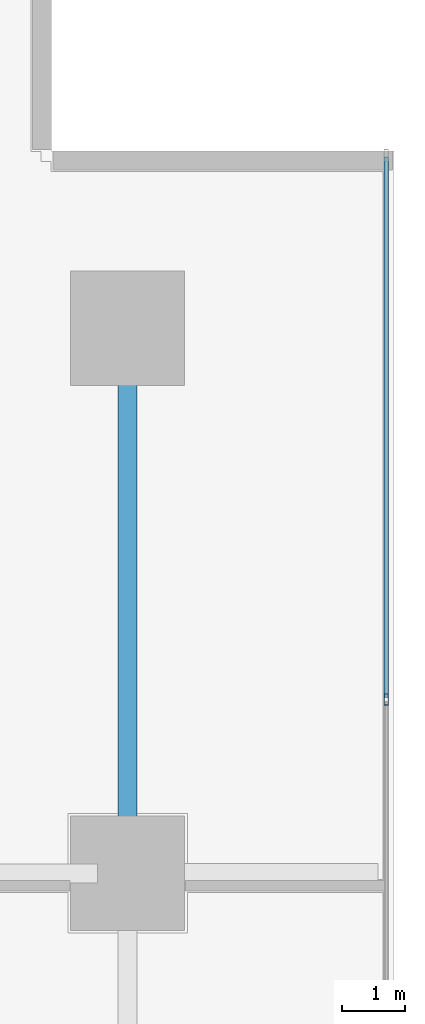
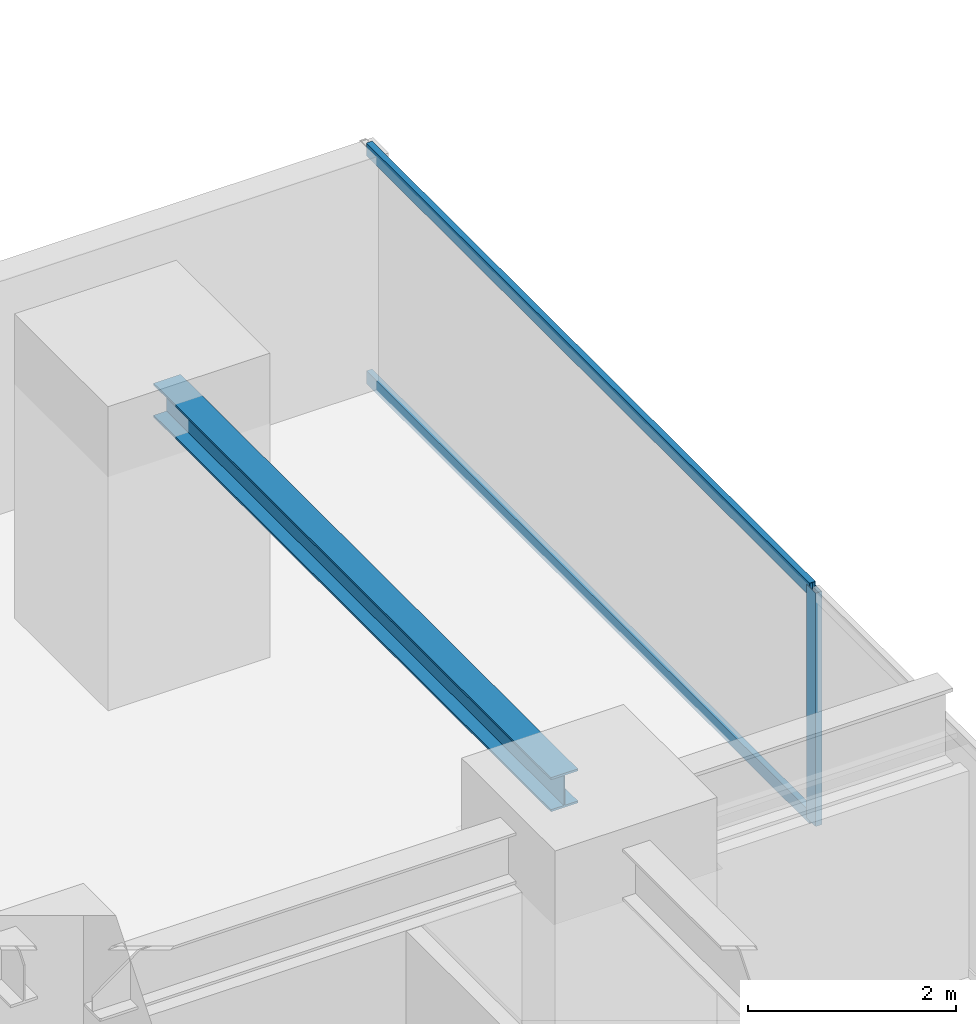
# One storey, part 21 of 33: 3 members, 1 beam, 1 element without a shape of its own.
"""IFC4 building model written with IfcOpenShell, lengths in metres."""

from ifc_helpers import new_model, si_unit, direction, frame, origin, origin_2d, place, context, subcontext, project, spatial, hollow_rectangle, i_section, extrude, source, transform, mapped, material, layer, layer_set, material_profile, profile_set, type_object, element, aggregate, save


model = new_model("IFC4")

# Units and contexts
model_context = context("Model", 3, precision=1e-05, world=origin(), true_north=direction((0.0, 1.0)))
body_context = subcontext(model_context, "Body", "Model", "MODEL_VIEW")
ifc_project = project(units=[si_unit("LENGTHUNIT", "METRE"), si_unit("AREAUNIT", "SQUARE_METRE"), si_unit("VOLUMEUNIT", "CUBIC_METRE"), si_unit("PLANEANGLEUNIT", "RADIAN"), si_unit("MASSUNIT", "GRAM", prefix="KILO")], contexts=[model_context])

# Site, building, storey
site_placement = place(None, origin())
site = spatial("IfcSite", under=ifc_project, at=site_placement, CompositionType="ELEMENT")
building_placement = place(site_placement, origin())
building = spatial("IfcBuilding", under=site, at=building_placement, Name="Sumidabori Civic Tower", CompositionType="ELEMENT")
storey_placement = place(building_placement, frame((0.0, 0.0, 59.60009765625)))
storey = spatial("IfcBuildingStorey", under=building, at=storey_placement, Name="L15", CompositionType="ELEMENT", Elevation=59.60009765625)

# Beam
ifc_material_1 = material(Name="Steel SN490", Category="steel")
ifc_material_profile_1 = material_profile(ifc_material_1, i_section(OverallWidth=0.300048828125, OverallDepth=0.39990234375, WebThickness=0.013427734375, FlangeThickness=0.02392578125, at=origin_2d()), Name="HE 400 B")
ifc_profile_set_1 = profile_set([ifc_material_profile_1], Name="Steel SN490")
beam_type = type_object("IfcBeamType", Name="BM-GIRD-400", PredefinedType="BEAM", material=ifc_profile_set_1)
shared_shape_1 = source(origin(), body_context, "Body", "SweptSolid", [
    extrude(i_section(OverallWidth=0.300048828125, OverallDepth=0.39990234375, WebThickness=0.013427734375, FlangeThickness=0.02392578125, at=origin_2d()), origin(), (0.0, 0.0, 1.0), 7.64013671875),
])
beam_placement = place(storey_placement, frame((22.800048828125, 10.679931640625, 3.159912109375), z_axis=(0.0, 1.0, 0.0), x_axis=(-1.0, 0.0, 0.0)))
element("IfcBeam", 1, at=beam_placement, inside=storey, type_object=beam_type, Name="Primary Girder L15 GY-42", PredefinedType="BEAM", context=body_context, shape_type="MappedRepresentation", body=[
    mapped(shared_shape_1, transform((0.0, 0.0, 0.0), x_axis=(1.0, 0.0, 0.0), y_axis=(0.0, 1.0, 0.0), z_axis=(0.0, 0.0, 1.0), scale=1.0)),
])

# Curtain wall, members
ifc_material_2 = material(Name="Anodised Bronze Aluminium AW-6063-T6", Category="aluminium")
ifc_layer = layer(ifc_material_2, 0.179931640625, Name="Anodised Bronze Aluminium AW-6063-T6")
ifc_layer_set = layer_set([ifc_layer], Name="Anodised Bronze Aluminium AW-6063-T6")
curtain_wall_type = type_object("IfcCurtainWallType", Name="CW-SYS-2", PredefinedType="NOTDEFINED", material=ifc_layer_set)
curtain_wall_placement = place(storey_placement, origin())
curtain_wall = element("IfcCurtainWall", 2, at=curtain_wall_placement, inside=storey, type_object=curtain_wall_type, Name="Curtain Wall CW:L15:R04", PredefinedType="NOTDEFINED")
ifc_material_profile_2 = material_profile(ifc_material_2, hollow_rectangle(XDim=0.070068359375, YDim=0.179931640625, WallThickness=0.006103515625, at=origin_2d()), Name="ALU MULLION 180x70")
ifc_profile_set_2 = profile_set([ifc_material_profile_2], Name="Anodised Bronze Aluminium AW-6063-T6")
member_type_1 = type_object("IfcMemberType", Name="CW-MUL-180", PredefinedType="MULLION", material=ifc_profile_set_2)
shared_shape_2 = source(origin(), body_context, "Body", "SweptSolid", [
    extrude(hollow_rectangle(XDim=0.070068359375, YDim=0.179931640625, WallThickness=0.006103515625, at=origin_2d()), origin(), (0.0, 0.0, 1.0), 2.739990234375),
])
member_1_placement = place(storey_placement, frame((26.8798828125, 12.94189453125, 0.0), z_axis=(0.0, 0.0, 1.0), x_axis=(-1.0, 0.0, 0.0)))
member_1 = element("IfcMember", 3, at=member_1_placement, type_object=member_type_1, Name="CW-2 mullion 5", PredefinedType="MULLION", context=body_context, shape_type="MappedRepresentation", body=[
    mapped(shared_shape_2, transform((0.0, 0.0, 0.0), x_axis=(1.0, 0.0, 0.0), y_axis=(0.0, 1.0, 0.0), z_axis=(0.0, 0.0, 1.0), scale=1.0)),
])
ifc_material_profile_3 = material_profile(ifc_material_2, hollow_rectangle(XDim=0.06494140625, YDim=0.14990234375, WallThickness=0.0048828125, at=origin_2d()), Name="ALU TRANSOM 150x65")
ifc_profile_set_3 = profile_set([ifc_material_profile_3], Name="Anodised Bronze Aluminium AW-6063-T6")
member_type_2 = type_object("IfcMemberType", Name="CW-TRN-150", PredefinedType="USERDEFINED", material=ifc_profile_set_3)
shared_shape_3 = source(origin(), body_context, "Body", "SweptSolid", [
    extrude(hollow_rectangle(XDim=0.06494140625, YDim=0.14990234375, WallThickness=0.0048828125, at=origin_2d()), origin(), (0.0, 0.0, 1.0), 8.52294921875),
])
member_2_placement = place(storey_placement, frame((26.8798828125, 12.97705078125, 0.032470703125), z_axis=(0.0, 1.0, 0.0), x_axis=(-1.0, 0.0, 0.0)))
member_2 = element("IfcMember", 4, at=member_2_placement, type_object=member_type_2, Name="CW-2 transom 5.1", ObjectType="TRANSOM", PredefinedType="USERDEFINED", context=body_context, shape_type="MappedRepresentation", body=[
    mapped(shared_shape_3, transform((0.0, 0.0, 0.0), x_axis=(1.0, 0.0, 0.0), y_axis=(0.0, 1.0, 0.0), z_axis=(0.0, 0.0, 1.0), scale=1.0)),
])
member_3_placement = place(storey_placement, frame((26.8798828125, 12.97705078125, 2.70751953125), z_axis=(0.0, 1.0, 0.0), x_axis=(-1.0, 0.0, 0.0)))
member_3 = element("IfcMember", 5, at=member_3_placement, type_object=member_type_2, Name="CW-2 transom 5.2", ObjectType="TRANSOM", PredefinedType="USERDEFINED", context=body_context, shape_type="MappedRepresentation", body=[
    mapped(shared_shape_3, transform((0.0, 0.0, 0.0), x_axis=(1.0, 0.0, 0.0), y_axis=(0.0, 1.0, 0.0), z_axis=(0.0, 0.0, 1.0), scale=1.0)),
])
aggregate(curtain_wall, [member_1, member_2, member_3])

save(model, "model.ifc")
